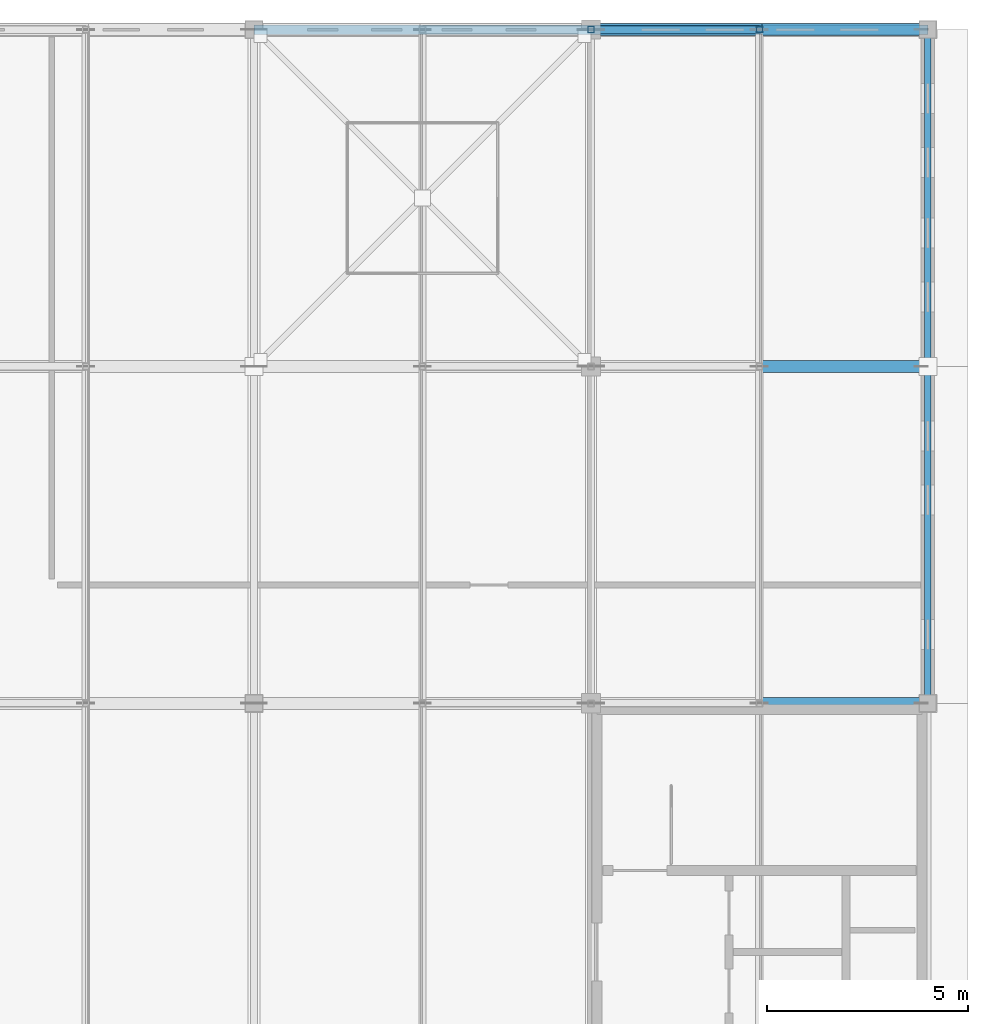
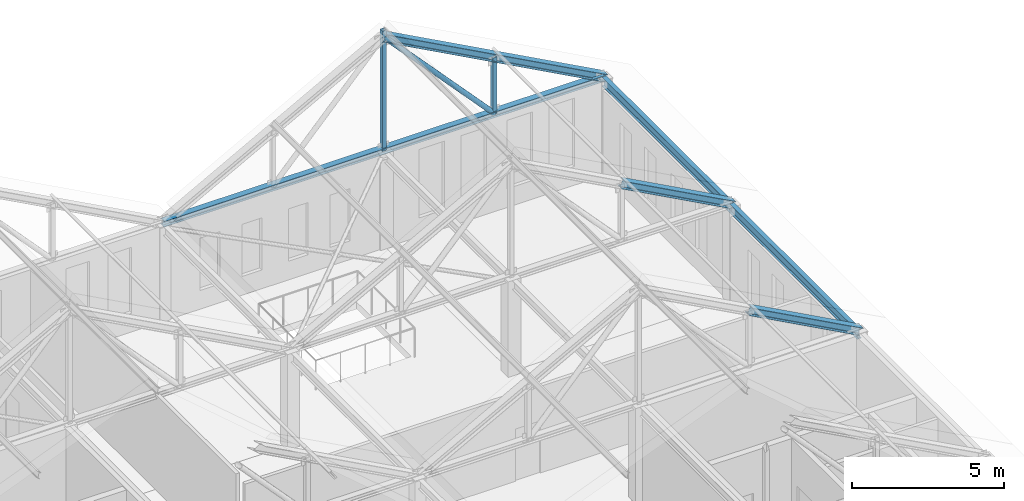
# One storey, part 15 of 36: 8 members, 2 beams.
"""IFC4 building model written with IfcOpenShell, lengths in metres."""

from ifc_helpers import new_model, si_unit, direction, frame, origin, origin_2d, place, context, subcontext, project, spatial, hollow_rectangle, hollow_circle, i_section, extrude, material, material_profile, profile_set, type_object, element, save


model = new_model("IFC4")

# Units and contexts
model_context = context("Model", 3, precision=1e-05, world=origin(), true_north=direction((0.0, 1.0)))
body_context = subcontext(model_context, "Body", "Model", "MODEL_VIEW")
ifc_project = project(units=[si_unit("LENGTHUNIT", "METRE"), si_unit("AREAUNIT", "SQUARE_METRE"), si_unit("VOLUMEUNIT", "CUBIC_METRE"), si_unit("PLANEANGLEUNIT", "RADIAN"), si_unit("MASSUNIT", "GRAM", prefix="KILO")], contexts=[model_context])

# Site, building, storey
site_placement = place(None, origin())
site = spatial("IfcSite", under=ifc_project, at=site_placement, CompositionType="ELEMENT")
building_placement = place(site_placement, origin())
building = spatial("IfcBuilding", under=site, at=building_placement, Name="Kveldsbrygga Polytechnic", CompositionType="ELEMENT")
storey_placement = place(building_placement, frame((0.0, 0.0, 26.179931640625)))
storey = spatial("IfcBuildingStorey", under=building, at=storey_placement, Name="L06", CompositionType="ELEMENT", Elevation=26.179931640625)

# Beams
ifc_material = material(Name="Steel S355", Category="steel")
ifc_material_profile_1 = material_profile(ifc_material, i_section(OverallWidth=0.169921875, OverallDepth=0.360107421875, WebThickness=0.008056640625, FlangeThickness=0.0126953125, FilletRadius=0.01806640625, at=origin_2d()), Name="IPE 360")
ifc_profile_set_1 = profile_set([ifc_material_profile_1], Name="Steel S355")
beam_type = type_object("IfcBeamType", Name="BM-STL-IPE360", PredefinedType="BEAM", material=ifc_profile_set_1)
beam_1_placement = place(storey_placement, frame((159.60009765625, 84.0, 3.66015625), z_axis=(0.0, 1.0, 0.0), x_axis=(-1.0, 0.0, 0.0)))
element("IfcBeam", 1, at=beam_1_placement, inside=storey, type_object=beam_type, Name="Attic Eaves Tie Beam BMY-L06-TOP-19-10", PredefinedType="BEAM", context=body_context, shape_type="SweptSolid", body=[
    extrude(i_section(OverallWidth=0.169921875, OverallDepth=0.360107421875, WebThickness=0.008056640625, FlangeThickness=0.0126953125, FilletRadius=0.01806640625, at=origin_2d()), origin(), (0.0, 0.0, 1.0), 8.39990234375),
])
beam_2_placement = place(storey_placement, frame((159.60009765625, 92.39990234375, 3.66015625), z_axis=(0.0, 1.0, 0.0), x_axis=(-1.0, 0.0, 0.0)))
element("IfcBeam", 2, at=beam_2_placement, inside=storey, type_object=beam_type, Name="Attic Eaves Tie Beam BMY-L06-TOP-19-11", PredefinedType="BEAM", context=body_context, shape_type="SweptSolid", body=[
    extrude(i_section(OverallWidth=0.169921875, OverallDepth=0.360107421875, WebThickness=0.008056640625, FlangeThickness=0.0126953125, FilletRadius=0.01806640625, at=origin_2d()), origin(), (0.0, 0.0, 1.0), 8.400146484375),
])

# Members
ifc_material_profile_2 = material_profile(ifc_material, i_section(OverallWidth=0.239990234375, OverallDepth=0.22998046875, WebThickness=0.007568359375, FlangeThickness=0.011962890625, FilletRadius=0.02099609375, at=origin_2d()), Name="HEA 240")
ifc_profile_set_2 = profile_set([ifc_material_profile_2], Name="Steel S355")
member_type_1 = type_object("IfcMemberType", Name="TR-BOT-HEA240", PredefinedType="CHORD", material=ifc_profile_set_2)
member_1_placement = place(storey_placement, frame((142.800048828125, 100.800048828125, 3.840087890625), z_axis=(1.0, 0.0, 0.0), x_axis=(0.0, 1.0, 0.0)))
element("IfcMember", 3, at=member_1_placement, inside=storey, type_object=member_type_1, Name="Truss Bottom Chord V4M2-T11-BC-1", PredefinedType="CHORD", context=body_context, shape_type="SweptSolid", body=[
    extrude(i_section(OverallWidth=0.239990234375, OverallDepth=0.22998046875, WebThickness=0.007568359375, FlangeThickness=0.011962890625, FilletRadius=0.02099609375, at=origin_2d()), origin(), (0.0, 0.0, 1.0), 16.800048828125),
])
ifc_material_profile_3 = material_profile(ifc_material, hollow_circle(Radius=0.096923828125, WallThickness=0.010009765625, at=origin_2d()), Name="CHS 193.7x10.0")
ifc_profile_set_3 = profile_set([ifc_material_profile_3], Name="Steel S355")
member_type_2 = type_object("IfcMemberType", Name="TR-DIAG-CHS194", PredefinedType="BRACE", material=ifc_profile_set_3)
member_2_placement = place(storey_placement, frame((151.199951171875, 100.800048828125, 8.39013671875), z_axis=(0.678271914864, 0.0, -0.734811002576), x_axis=(0.0, 1.0, 0.0)))
element("IfcMember", 4, at=member_2_placement, inside=storey, type_object=member_type_2, Name="Truss Diagonal V4M2-T11-DG-3", PredefinedType="BRACE", context=body_context, shape_type="SweptSolid", body=[
    extrude(hollow_circle(Radius=0.096923828125, WallThickness=0.010009765625, at=origin_2d()), origin(), (0.0, 0.0, 1.0), 6.192138671875),
])
ifc_material_profile_4 = material_profile(ifc_material, hollow_rectangle(XDim=0.159912109375, YDim=0.159912109375, WallThickness=0.010009765625, at=origin_2d()), Name="SHS 160x160x10.0")
ifc_profile_set_4 = profile_set([ifc_material_profile_4], Name="Steel S355")
member_type_3 = type_object("IfcMemberType", Name="TR-POST-SHS160", PredefinedType="STRUT", material=ifc_profile_set_4)
member_3_placement = place(storey_placement, frame((151.199951171875, 100.800048828125, 3.840087890625), z_axis=(0.0, 0.0, 1.0), x_axis=(1.0, 0.0, 0.0)))
element("IfcMember", 5, at=member_3_placement, inside=storey, type_object=member_type_3, Name="Truss Vertical V4M2-T11-VT-2", PredefinedType="STRUT", context=body_context, shape_type="SweptSolid", body=[
    extrude(hollow_rectangle(XDim=0.159912109375, YDim=0.159912109375, WallThickness=0.010009765625, at=origin_2d()), origin(), (0.0, 0.0, 1.0), 4.82861328125),
])
member_4_placement = place(storey_placement, frame((155.39990234375, 100.800048828125, 3.840087890625), z_axis=(0.0, 0.0, 1.0), x_axis=(1.0, 0.0, 0.0)))
element("IfcMember", 6, at=member_4_placement, inside=storey, type_object=member_type_3, Name="Truss Vertical V4M2-T11-VT-3", PredefinedType="STRUT", context=body_context, shape_type="SweptSolid", body=[
    extrude(hollow_rectangle(XDim=0.159912109375, YDim=0.159912109375, WallThickness=0.010009765625, at=origin_2d()), origin(), (0.0, 0.0, 1.0), 2.27490234375),
])
ifc_material_profile_5 = material_profile(ifc_material, i_section(OverallWidth=0.300048828125, OverallDepth=0.2900390625, WebThickness=0.008544921875, FlangeThickness=0.013916015625, FilletRadius=0.027099609375, at=origin_2d()), Name="HEA 300")
ifc_profile_set_5 = profile_set([ifc_material_profile_5], Name="Steel S355")
member_type_4 = type_object("IfcMemberType", Name="TR-TOP-HEA300", PredefinedType="CHORD", material=ifc_profile_set_5)
for number, where, z_axis, x_axis, name in (
    (7, (155.39990234375, 84.0, 6.114990234375), (0.879309803238, 0.0, -0.476250217773), (0.0, 1.0, 0.0), "Truss Top Chord V4M2-T09-TC-4"),
    (8, (155.39990234375, 92.39990234375, 6.114990234375), (0.879309803238, 0.0, -0.476250217773), (0.0, 1.0, 0.0), "Truss Top Chord V4M2-T10-TC-4"),
    (9, (151.199951171875, 100.800048828125, 8.39013671875), (0.879276804059, 0.0, -0.476311139744), (0.0, 1.0, 0.0), "Truss Top Chord V4M2-T11-TC-3"),
    (10, (155.39990234375, 100.800048828125, 6.114990234375), (0.879309803238, 0.0, -0.476250217773), (0.0, 1.0, 0.0), "Truss Top Chord V4M2-T11-TC-4"),
):
    element("IfcMember", number, at=place(storey_placement, frame(where, z_axis=z_axis, x_axis=x_axis)), inside=storey, type_object=member_type_4, Name=name, PredefinedType="CHORD", context=body_context, shape_type="SweptSolid", body=[
        extrude(i_section(OverallWidth=0.300048828125, OverallDepth=0.2900390625, WebThickness=0.008544921875, FlangeThickness=0.013916015625, FilletRadius=0.027099609375, at=origin_2d()), origin(), (0.0, 0.0, 1.0), 4.776611328125),
    ])

save(model, "model.ifc")
